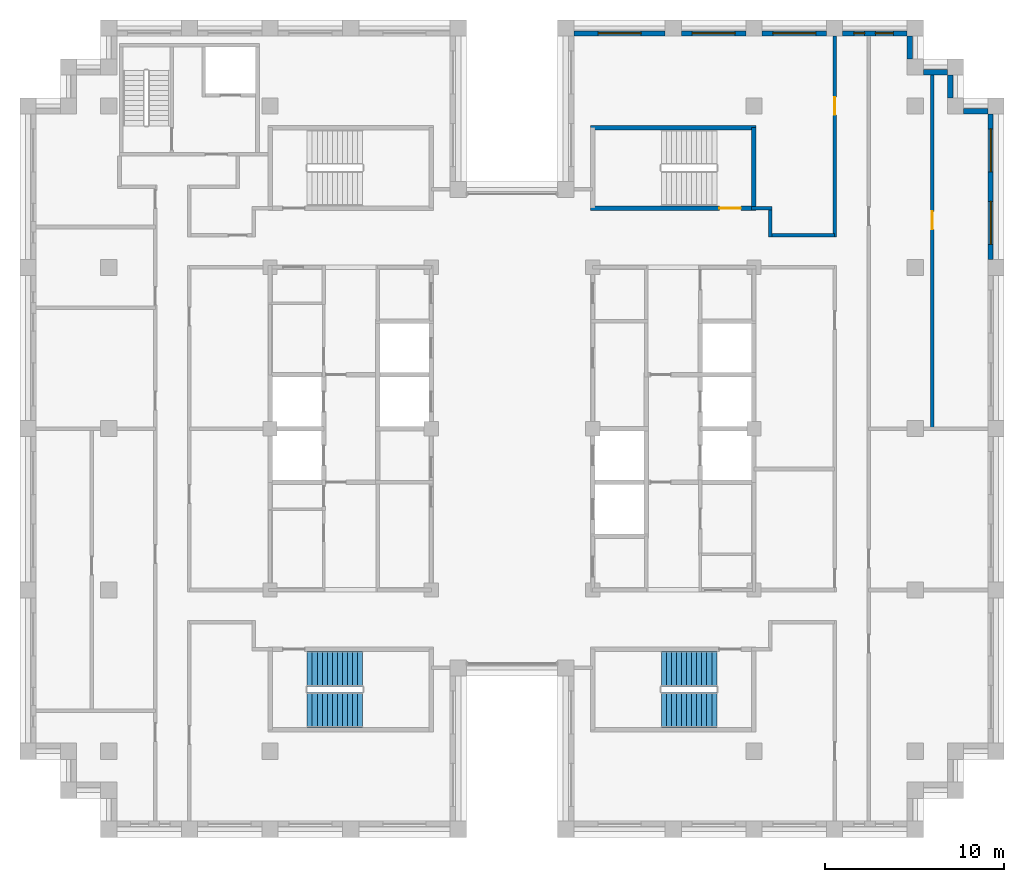
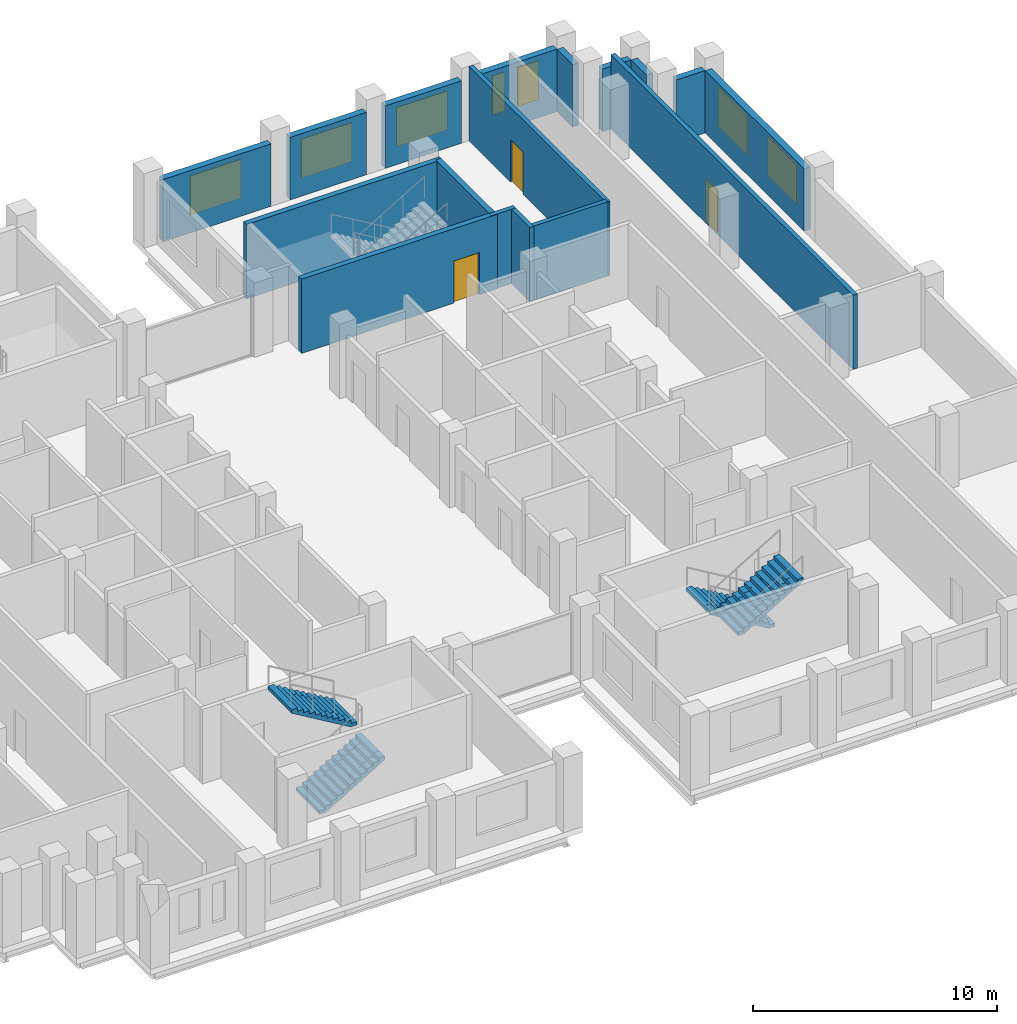
# One storey, part 11 of 13: 17 walls, 7 windows, 4 stair flights, 3 doors, 10 openings, 2 elements without a shape of their own.
"""IFC4 building model written with IfcOpenShell, lengths in metres."""

import ifcopenshell
import ifcopenshell.guid

model = None  # the IFC model being written
_history = None  # IfcOwnerHistory: only IFC2X3 demands one
_inside = {}  # id of a spatial element -> (the spatial element, [elements in it])
_under = {}  # id of a project, library or spatial element -> (it, [spatial elements below it])
_declared = {}  # id of a project -> (the project, [libraries it declares])
_typed = {}  # id of a type object -> (the type object, [elements of that type])
_made_of = {}  # id of a material, layer set ... -> (it, [elements and type objects made of it])


def new_model(schema):
    """Start an empty IFC model of exactly this schema.

    Asked for "IFC4X3", IfcOpenShell would pick the latest addendum, in which some entities
    have other attributes; the version numbers below select the first issue.
    IFC2X3 requires an IfcOwnerHistory on every rooted entity: one is made here for all.
    """
    global model, _history
    if schema == "IFC4X3":
        model = ifcopenshell.file(schema_version=(4, 3, 0, 0))
    else:
        model = ifcopenshell.file(schema=schema)
    _inside.clear()
    _under.clear()
    _declared.clear()
    _typed.clear()
    _made_of.clear()
    _history = None
    if model.schema == "IFC2X3":
        org = make("IfcOrganization", Name="unknown")
        user = make(
            "IfcPersonAndOrganization",
            ThePerson=make("IfcPerson", FamilyName="unknown"),
            TheOrganization=org,
        )
        app = make(
            "IfcApplication",
            ApplicationDeveloper=org,
            Version="unknown",
            ApplicationFullName="unknown",
            ApplicationIdentifier="unknown",
        )
        _history = make(
            "IfcOwnerHistory",
            OwningUser=user,
            OwningApplication=app,
            ChangeAction="ADDED",
            CreationDate=0,
        )
    return model


def make(cls, **values):
    """One entity of the class cls with the attributes given. An attribute that is None is left unset."""
    return model.create_entity(
        cls, **{name: value for name, value in values.items() if value is not None}
    )


def rooted(cls, **values):
    """An entity with a GlobalId (a new one), such as an element, a storey or a relation."""
    return make(cls, GlobalId=ifcopenshell.guid.new(), OwnerHistory=_history, **values)


def si_unit(unit_type, name, prefix=None):
    """IfcSIUnit, for example si_unit("LENGTHUNIT", "METRE", prefix="MILLI")."""
    return make("IfcSIUnit", UnitType=unit_type, Prefix=prefix, Name=name)


def assignment(units):
    """IfcUnitAssignment: the units of a project."""
    return None if units is None else make("IfcUnitAssignment", Units=units)


def point(xyz):
    """IfcCartesianPoint."""
    return None if xyz is None else make("IfcCartesianPoint", Coordinates=xyz)


def direction(xyz):
    """IfcDirection."""
    return None if xyz is None else make("IfcDirection", DirectionRatios=xyz)


def frame(location, z_axis=None, x_axis=None):
    """IfcAxis2Placement3D, a coordinate frame: its origin and axes. An axis left out is left unset."""
    return make(
        "IfcAxis2Placement3D",
        Location=point(location),
        Axis=direction(z_axis),
        RefDirection=direction(x_axis),
    )


def frame_2d(location, x_axis=None):
    """IfcAxis2Placement2D, a coordinate frame in the plane: its origin and x axis."""
    return make(
        "IfcAxis2Placement2D", Location=point(location), RefDirection=direction(x_axis)
    )


def origin():
    """The frame at (0, 0, 0) with its axes left unset."""
    return frame((0.0, 0.0, 0.0))


def place(relative_to, where):
    """IfcLocalPlacement: puts the frame where relative to a parent placement (None: the world)."""
    return make(
        "IfcLocalPlacement", PlacementRelTo=relative_to, RelativePlacement=where
    )


def context(
    kind, dimensions, precision=None, world=None, true_north=None, identifier=None
):
    """IfcGeometricRepresentationContext, for example the 3D "Model" context."""
    return make(
        "IfcGeometricRepresentationContext",
        ContextIdentifier=identifier,
        ContextType=kind,
        CoordinateSpaceDimension=dimensions,
        Precision=precision,
        WorldCoordinateSystem=world,
        TrueNorth=true_north,
    )


def subcontext(parent, identifier, kind, view, scale=None):
    """IfcGeometricRepresentationSubContext, for example "Body" below "Model"."""
    return make(
        "IfcGeometricRepresentationSubContext",
        ContextIdentifier=identifier,
        ContextType=kind,
        ParentContext=parent,
        TargetScale=scale,
        TargetView=view,
    )


def project(units=None, contexts=None):
    """IfcProject with its units and contexts."""
    return rooted(
        "IfcProject",
        Name="project",
        RepresentationContexts=contexts,
        UnitsInContext=assignment(units),
    )


def spatial(cls, under=None, at=None, **own):
    """A site, building, storey or space (cls), placed at a placement, below another one or the project."""
    s = rooted(cls, ObjectPlacement=at, **own)
    if under is not None:
        _under.setdefault(under.id(), (under, []))[1].append(s)
    return s


def polyline(points):
    """IfcPolyline through the points."""
    return make("IfcPolyline", Points=[point(p) for p in points])


def profile(cls, at=None, kind="AREA", **sizes):
    """A parametric profile (cls). Its sizes go by their IFC names, for example OverallWidth=200.0."""
    return make(cls, ProfileType=kind, Position=at, **sizes)


def rectangle(**sizes):
    """IfcRectangleProfileDef."""
    return profile("IfcRectangleProfileDef", **sizes)


def outline(outer, holes=None, kind="AREA"):
    """IfcArbitraryClosedProfileDef: a profile drawn as a closed curve; with holes, ...WithVoids."""
    if holes is None:
        return make("IfcArbitraryClosedProfileDef", ProfileType=kind, OuterCurve=outer)
    return make(
        "IfcArbitraryProfileDefWithVoids",
        ProfileType=kind,
        OuterCurve=outer,
        InnerCurves=holes,
    )


def extrude(swept, where, along, depth):
    """IfcExtrudedAreaSolid: the profile swept, set in the frame where, extruded along a direction by depth."""
    return make(
        "IfcExtrudedAreaSolid",
        SweptArea=swept,
        Position=where,
        ExtrudedDirection=direction(along),
        Depth=depth,
    )


def shape(context_of_items, identifier, shape_type, items):
    """IfcShapeRepresentation: the items that make up one representation, for example the "Body"."""
    return make(
        "IfcShapeRepresentation",
        ContextOfItems=context_of_items,
        RepresentationIdentifier=identifier,
        RepresentationType=shape_type,
        Items=items,
    )


def material(Name=None, Category=None):
    """IfcMaterial."""
    return make("IfcMaterial", Name=Name, Category=Category)


def layer(
    of_material, thickness, ventilated=None, Name=None, Category=None, Priority=None
):
    """IfcMaterialLayer: one layer of a wall or slab, of a material (None: an air gap)."""
    return make(
        "IfcMaterialLayer",
        Material=of_material,
        LayerThickness=thickness,
        IsVentilated=ventilated,
        Name=Name,
        Category=Category,
        Priority=Priority,
    )


def layer_set(layers, Name=None):
    """IfcMaterialLayerSet."""
    return make("IfcMaterialLayerSet", MaterialLayers=layers, LayerSetName=Name)


def made_of(thing, what):
    """Note that an element or type object is made of a material, layer set ...; save() writes the relation."""
    if what is not None:
        _made_of.setdefault(what.id(), (what, []))[1].append(thing)
    return thing


def type_object(cls, material=None, **own):
    """A type object (cls), such as IfcWallType, which elements share."""
    return made_of(rooted(cls, **own), material)


def element(
    cls,
    number,
    at=None,
    inside=None,
    cuts=None,
    type_object=None,
    material=None,
    context=None,
    identifier="Body",
    shape_type=None,
    held_by="IfcProductDefinitionShape",
    body=None,
    shapes=None,
    **own,
):
    """One element of the class cls, such as IfcWall. Its Tag is "e" and its number.

    at: its placement. inside: the storey or other place that contains it. cuts: it is an
    opening in that element (IfcRelVoidsElement). A single representation is given by context,
    identifier, shape_type and body (its items); several are given by shapes. held_by: the class
    of the entity that holds the representations. save() writes the other relations.
    """
    e = rooted(cls, Tag="e%d" % number, ObjectPlacement=at, **own)
    if body is not None:
        shapes = [shape(context, identifier, shape_type, body)]
    if shapes is not None:
        e.Representation = make(held_by, Representations=shapes)
    if inside is not None:
        _inside.setdefault(inside.id(), (inside, []))[1].append(e)
    if cuts is not None:
        rooted(
            "IfcRelVoidsElement", RelatingBuildingElement=cuts, RelatedOpeningElement=e
        )
    if type_object is not None:
        _typed.setdefault(type_object.id(), (type_object, []))[1].append(e)
    return made_of(e, material)


def fill(opening, filler):
    """IfcRelFillsElement: the door or window that sits in an opening."""
    return rooted(
        "IfcRelFillsElement",
        RelatingOpeningElement=opening,
        RelatedBuildingElement=filler,
    )


def aggregate(whole, parts):
    """IfcRelAggregates: a whole, such as a stair, and the parts it consists of."""
    return rooted("IfcRelAggregates", RelatingObject=whole, RelatedObjects=parts)


def save(model, path):
    """Write the relations noted so far, then the file.

    IfcRelAggregates (storeys below a building ...), IfcRelContainedInSpatialStructure (elements
    in a storey), IfcRelDefinesByType, IfcRelAssociatesMaterial and IfcRelDeclares: one each for
    every whole, place, type object, material and project.
    """
    for whole, parts in _under.values():
        aggregate(whole, parts)
    for where, things in _inside.values():
        rooted(
            "IfcRelContainedInSpatialStructure",
            RelatedElements=things,
            RelatingStructure=where,
        )
    for kind, things in _typed.values():
        rooted("IfcRelDefinesByType", RelatedObjects=things, RelatingType=kind)
    for what, things in _made_of.values():
        rooted("IfcRelAssociatesMaterial", RelatedObjects=things, RelatingMaterial=what)
    for by, libraries in _declared.values():
        rooted("IfcRelDeclares", RelatingContext=by, RelatedDefinitions=libraries)
    model.write(path)


model = new_model("IFC4")

# Units and contexts
model_context = context("Model", 3, precision=1e-05, world=origin(), true_north=direction((0.0, 1.0)))
body_context = subcontext(model_context, "Body", "Model", "MODEL_VIEW")
ifc_project = project(units=[si_unit("LENGTHUNIT", "METRE"), si_unit("AREAUNIT", "SQUARE_METRE"), si_unit("VOLUMEUNIT", "CUBIC_METRE"), si_unit("PLANEANGLEUNIT", "RADIAN"), si_unit("MASSUNIT", "GRAM", prefix="KILO")], contexts=[model_context])

# Site, building, storey
site_placement = place(None, origin())
site = spatial("IfcSite", under=ifc_project, at=site_placement, CompositionType="ELEMENT")
building_placement = place(site_placement, origin())
building = spatial("IfcBuilding", under=site, at=building_placement, Name="Corbelhall Arena Tower", CompositionType="ELEMENT")
storey_placement = place(building_placement, frame((0.0, 0.0, 274.0)))
storey = spatial("IfcBuildingStorey", under=building, at=storey_placement, Name="L59", CompositionType="ELEMENT", Elevation=274.0)

# Wall, openings, windows
ifc_material_1 = material(Name="Precast concrete C40/50 with granite facing", Category="masonry")
ifc_layer_1 = layer(ifc_material_1, 0.300048828125)
ifc_layer_set_1 = layer_set([ifc_layer_1], Name="EV-IW1 Infill panel 300")
wall_type_1 = type_object("IfcWallType", Name="EV-IW1 Infill panel 300", PredefinedType="SOLIDWALL", material=ifc_layer_set_1)
wall_1_placement = place(storey_placement, frame((26.699951171875, 9.449951171875, 0.0), z_axis=(0.0, 0.0, 1.0), x_axis=(0.0, 1.0, 0.0)))
wall_1 = element("IfcWall", 1, at=wall_1_placement, inside=storey, type_object=wall_type_1, Name="Infill panel IW1", PredefinedType="SOLIDWALL", context=body_context, shape_type="SweptSolid", body=[
    extrude(rectangle(XDim=8.10009765625, YDim=0.300048828125, at=frame_2d((4.050048828125, 0.0))), origin(), (0.0, 0.0, 1.0), 3.1201171875),
])
opening_1_placement = place(wall_1_placement, frame((0.824951171875, 0.0, 0.800048828125)))
opening_1 = element("IfcOpeningElement", 2, at=opening_1_placement, cuts=wall_1, Name="Opening WN1", PredefinedType="OPENING", context=body_context, shape_type="SweptSolid", body=[
    extrude(rectangle(XDim=2.39990234375, YDim=1.949951171875, at=frame_2d((1.199951171875, 0.97509765625))), frame((0.0, 0.14990234375, 0.0), z_axis=(0.0, -1.0, 0.0), x_axis=(1.0, 0.0, 0.0)), (0.0, 0.0, 1.0), 0.300048828125),
])
opening_2_placement = place(wall_1_placement, frame((4.875, 0.0, 0.800048828125)))
opening_2 = element("IfcOpeningElement", 3, at=opening_2_placement, cuts=wall_1, Name="Opening WN1", PredefinedType="OPENING", context=body_context, shape_type="SweptSolid", body=[
    extrude(rectangle(XDim=2.39990234375, YDim=1.949951171875, at=frame_2d((1.199951171875, 0.97509765625))), frame((0.0, 0.14990234375, 0.0), z_axis=(0.0, -1.0, 0.0), x_axis=(1.0, 0.0, 0.0)), (0.0, 0.0, 1.0), 0.300048828125),
])
ifc_material_2 = material(Name="Aluminium black anodised", Category="aluminium")
window_type_1 = type_object("IfcWindowType", Name="EV-WN1 Office window", PartitioningType="SINGLE_PANEL", PredefinedType="WINDOW", material=ifc_material_2)
window_1_placement = place(opening_1_placement, origin())
window_1 = element("IfcWindow", 4, at=window_1_placement, inside=storey, type_object=window_type_1, Name="Window WN1", OverallHeight=1.949951171875, OverallWidth=2.39990234375, PartitioningType="SINGLE_PANEL", PredefinedType="WINDOW", context=body_context, shape_type="SweptSolid", body=[
    extrude(rectangle(XDim=2.39990234375, YDim=1.949951171875, at=frame_2d((1.199951171875, 0.97509765625))), frame((0.0, 0.030029296875, 0.0), z_axis=(0.0, -1.0, 0.0), x_axis=(1.0, 0.0, 0.0)), (0.0, 0.0, 1.0), 0.06005859375),
])
fill(opening_1, window_1)
window_2_placement = place(opening_2_placement, origin())
window_2 = element("IfcWindow", 5, at=window_2_placement, inside=storey, type_object=window_type_1, Name="Window WN1", OverallHeight=1.949951171875, OverallWidth=2.39990234375, PartitioningType="SINGLE_PANEL", PredefinedType="WINDOW", context=body_context, shape_type="SweptSolid", body=[
    extrude(rectangle(XDim=2.39990234375, YDim=1.949951171875, at=frame_2d((1.199951171875, 0.97509765625))), frame((0.0, 0.030029296875, 0.0), z_axis=(0.0, -1.0, 0.0), x_axis=(1.0, 0.0, 0.0)), (0.0, 0.0, 1.0), 0.06005859375),
])
fill(opening_2, window_2)

# Walls
wall_2_placement = place(storey_placement, frame((26.550048828125, 17.699951171875, 0.0), z_axis=(0.0, 0.0, 1.0), x_axis=(-1.0, 0.0, 0.0)))
element("IfcWall", 6, at=wall_2_placement, inside=storey, type_object=wall_type_1, Name="Infill panel IW1", PredefinedType="SOLIDWALL", context=body_context, shape_type="SweptSolid", body=[
    extrude(rectangle(XDim=1.35009765625, YDim=0.300048828125, at=frame_2d((0.675048828125, 0.0))), origin(), (0.0, 0.0, 1.0), 3.1201171875),
])
wall_3_placement = place(storey_placement, frame((24.449951171875, 18.449951171875, 0.0), z_axis=(0.0, 0.0, 1.0), x_axis=(0.0, 1.0, 0.0)))
element("IfcWall", 7, at=wall_3_placement, inside=storey, type_object=wall_type_1, Name="Infill panel IW1", PredefinedType="SOLIDWALL", context=body_context, shape_type="SweptSolid", body=[
    extrude(rectangle(XDim=1.275146484375, YDim=0.300048828125, at=frame_2d((0.6376953125, 0.0))), origin(), (0.0, 0.0, 1.0), 3.1201171875),
])
wall_4_placement = place(storey_placement, frame((24.300048828125, 19.875, 0.0), z_axis=(0.0, 0.0, 1.0), x_axis=(-1.0, 0.0, 0.0)))
element("IfcWall", 8, at=wall_4_placement, inside=storey, type_object=wall_type_1, Name="Infill panel IW1", PredefinedType="SOLIDWALL", context=body_context, shape_type="SweptSolid", body=[
    extrude(rectangle(XDim=1.35009765625, YDim=0.300048828125, at=frame_2d((0.675048828125, 0.0))), origin(), (0.0, 0.0, 1.0), 3.1201171875),
])
wall_5_placement = place(storey_placement, frame((22.199951171875, 20.625, 0.0), z_axis=(0.0, 0.0, 1.0), x_axis=(0.0, 1.0, 0.0)))
element("IfcWall", 9, at=wall_5_placement, inside=storey, type_object=wall_type_1, Name="Infill panel IW1", PredefinedType="SOLIDWALL", context=body_context, shape_type="SweptSolid", body=[
    extrude(rectangle(XDim=1.27490234375, YDim=0.300048828125, at=frame_2d((0.637451171875, 0.0))), origin(), (0.0, 0.0, 1.0), 3.1201171875),
])

# Wall, openings, windows
wall_6_placement = place(storey_placement, frame((22.050048828125, 22.050048828125, 0.0), z_axis=(0.0, 0.0, 1.0), x_axis=(-1.0, 0.0, 0.0)))
wall_6 = element("IfcWall", 10, at=wall_6_placement, inside=storey, type_object=wall_type_1, Name="Infill panel IW1", PredefinedType="SOLIDWALL", context=body_context, shape_type="SweptSolid", body=[
    extrude(rectangle(XDim=3.60009765625, YDim=0.300048828125, at=frame_2d((1.800048828125, 0.0))), origin(), (0.0, 0.0, 1.0), 3.1201171875),
])
opening_3_placement = place(wall_6_placement, frame((0.77490234375, 0.0, 0.800048828125)))
opening_3 = element("IfcOpeningElement", 11, at=opening_3_placement, cuts=wall_6, Name="Opening WN6", PredefinedType="OPENING", context=body_context, shape_type="SweptSolid", body=[
    extrude(rectangle(XDim=1.0, YDim=1.949951171875, at=frame_2d((0.5, 0.97509765625))), frame((0.0, 0.14990234375, 0.0), z_axis=(0.0, -1.0, 0.0), x_axis=(1.0, 0.0, 0.0)), (0.0, 0.0, 1.0), 0.300048828125),
])
opening_4_placement = place(wall_6_placement, frame((2.375, 0.0, 0.800048828125)))
opening_4 = element("IfcOpeningElement", 12, at=opening_4_placement, cuts=wall_6, Name="Opening WN5", PredefinedType="OPENING", context=body_context, shape_type="SweptSolid", body=[
    extrude(rectangle(XDim=0.60009765625, YDim=1.949951171875, at=frame_2d((0.300048828125, 0.97509765625))), frame((0.0, 0.14990234375, 0.0), z_axis=(0.0, -1.0, 0.0), x_axis=(1.0, 0.0, 0.0)), (0.0, 0.0, 1.0), 0.300048828125),
])
window_type_2 = type_object("IfcWindowType", Name="EV-WN5 Office window 600", PartitioningType="SINGLE_PANEL", PredefinedType="WINDOW", material=ifc_material_2)
window_3_placement = place(opening_4_placement, origin())
window_3 = element("IfcWindow", 13, at=window_3_placement, inside=storey, type_object=window_type_2, Name="Window WN5", OverallHeight=1.949951171875, OverallWidth=0.60009765625, PartitioningType="SINGLE_PANEL", PredefinedType="WINDOW", context=body_context, shape_type="SweptSolid", body=[
    extrude(rectangle(XDim=0.60009765625, YDim=1.949951171875, at=frame_2d((0.300048828125, 0.97509765625))), frame((0.0, 0.030029296875, 0.0), z_axis=(0.0, -1.0, 0.0), x_axis=(1.0, 0.0, 0.0)), (0.0, 0.0, 1.0), 0.06005859375),
])
fill(opening_4, window_3)
window_type_3 = type_object("IfcWindowType", Name="EV-WN6 Office window 1000", PartitioningType="SINGLE_PANEL", PredefinedType="WINDOW", material=ifc_material_2)
window_4_placement = place(opening_3_placement, origin())
window_4 = element("IfcWindow", 14, at=window_4_placement, inside=storey, type_object=window_type_3, Name="Window WN6", OverallHeight=1.949951171875, OverallWidth=1.0, PartitioningType="SINGLE_PANEL", PredefinedType="WINDOW", context=body_context, shape_type="SweptSolid", body=[
    extrude(rectangle(XDim=1.0, YDim=1.949951171875, at=frame_2d((0.5, 0.97509765625))), frame((0.0, 0.030029296875, 0.0), z_axis=(0.0, -1.0, 0.0), x_axis=(1.0, 0.0, 0.0)), (0.0, 0.0, 1.0), 0.06005859375),
])
fill(opening_3, window_4)

# Wall, opening, window
wall_7_placement = place(storey_placement, frame((17.550048828125, 22.050048828125, 0.0), z_axis=(0.0, 0.0, 1.0), x_axis=(-1.0, 0.0, 0.0)))
wall_7 = element("IfcWall", 15, at=wall_7_placement, inside=storey, type_object=wall_type_1, Name="Infill panel IW1", PredefinedType="SOLIDWALL", context=body_context, shape_type="SweptSolid", body=[
    extrude(rectangle(XDim=3.60009765625, YDim=0.300048828125, at=frame_2d((1.800048828125, 0.0))), origin(), (0.0, 0.0, 1.0), 3.1201171875),
])
opening_5_placement = place(wall_7_placement, frame((0.60009765625, 0.0, 0.800048828125)))
opening_5 = element("IfcOpeningElement", 16, at=opening_5_placement, cuts=wall_7, Name="Opening WN1", PredefinedType="OPENING", context=body_context, shape_type="SweptSolid", body=[
    extrude(rectangle(XDim=2.39990234375, YDim=1.949951171875, at=frame_2d((1.199951171875, 0.97509765625))), frame((0.0, 0.14990234375, 0.0), z_axis=(0.0, -1.0, 0.0), x_axis=(1.0, 0.0, 0.0)), (0.0, 0.0, 1.0), 0.300048828125),
])
window_5_placement = place(opening_5_placement, origin())
window_5 = element("IfcWindow", 17, at=window_5_placement, inside=storey, type_object=window_type_1, Name="Window WN1", OverallHeight=1.949951171875, OverallWidth=2.39990234375, PartitioningType="SINGLE_PANEL", PredefinedType="WINDOW", context=body_context, shape_type="SweptSolid", body=[
    extrude(rectangle(XDim=2.39990234375, YDim=1.949951171875, at=frame_2d((1.199951171875, 0.97509765625))), frame((0.0, 0.030029296875, 0.0), z_axis=(0.0, -1.0, 0.0), x_axis=(1.0, 0.0, 0.0)), (0.0, 0.0, 1.0), 0.06005859375),
])
fill(opening_5, window_5)

wall_8_placement = place(storey_placement, frame((13.050048828125, 22.050048828125, 0.0), z_axis=(0.0, 0.0, 1.0), x_axis=(-1.0, 0.0, 0.0)))
wall_8 = element("IfcWall", 18, at=wall_8_placement, inside=storey, type_object=wall_type_1, Name="Infill panel IW1", PredefinedType="SOLIDWALL", context=body_context, shape_type="SweptSolid", body=[
    extrude(rectangle(XDim=3.60009765625, YDim=0.300048828125, at=frame_2d((1.800048828125, 0.0))), origin(), (0.0, 0.0, 1.0), 3.1201171875),
])
opening_6_placement = place(wall_8_placement, frame((0.60009765625, 0.0, 0.800048828125)))
opening_6 = element("IfcOpeningElement", 19, at=opening_6_placement, cuts=wall_8, Name="Opening WN1", PredefinedType="OPENING", context=body_context, shape_type="SweptSolid", body=[
    extrude(rectangle(XDim=2.39990234375, YDim=1.949951171875, at=frame_2d((1.199951171875, 0.97509765625))), frame((0.0, 0.14990234375, 0.0), z_axis=(0.0, -1.0, 0.0), x_axis=(1.0, 0.0, 0.0)), (0.0, 0.0, 1.0), 0.300048828125),
])
window_6_placement = place(opening_6_placement, origin())
window_6 = element("IfcWindow", 20, at=window_6_placement, inside=storey, type_object=window_type_1, Name="Window WN1", OverallHeight=1.949951171875, OverallWidth=2.39990234375, PartitioningType="SINGLE_PANEL", PredefinedType="WINDOW", context=body_context, shape_type="SweptSolid", body=[
    extrude(rectangle(XDim=2.39990234375, YDim=1.949951171875, at=frame_2d((1.199951171875, 0.97509765625))), frame((0.0, 0.030029296875, 0.0), z_axis=(0.0, -1.0, 0.0), x_axis=(1.0, 0.0, 0.0)), (0.0, 0.0, 1.0), 0.06005859375),
])
fill(opening_6, window_6)

wall_9_placement = place(storey_placement, frame((8.550048828125, 22.050048828125, 0.0), z_axis=(0.0, 0.0, 1.0), x_axis=(-1.0, 0.0, 0.0)))
wall_9 = element("IfcWall", 21, at=wall_9_placement, inside=storey, type_object=wall_type_1, Name="Infill panel IW1", PredefinedType="SOLIDWALL", context=body_context, shape_type="SweptSolid", body=[
    extrude(rectangle(XDim=5.10009765625, YDim=0.300048828125, at=frame_2d((2.550048828125, 0.0))), origin(), (0.0, 0.0, 1.0), 3.1201171875),
])
opening_7_placement = place(wall_9_placement, frame((1.35009765625, 0.0, 0.800048828125)))
opening_7 = element("IfcOpeningElement", 22, at=opening_7_placement, cuts=wall_9, Name="Opening WN1", PredefinedType="OPENING", context=body_context, shape_type="SweptSolid", body=[
    extrude(rectangle(XDim=2.39990234375, YDim=1.949951171875, at=frame_2d((1.199951171875, 0.97509765625))), frame((0.0, 0.14990234375, 0.0), z_axis=(0.0, -1.0, 0.0), x_axis=(1.0, 0.0, 0.0)), (0.0, 0.0, 1.0), 0.300048828125),
])
window_7_placement = place(opening_7_placement, origin())
window_7 = element("IfcWindow", 23, at=window_7_placement, inside=storey, type_object=window_type_1, Name="Window WN1", OverallHeight=1.949951171875, OverallWidth=2.39990234375, PartitioningType="SINGLE_PANEL", PredefinedType="WINDOW", context=body_context, shape_type="SweptSolid", body=[
    extrude(rectangle(XDim=2.39990234375, YDim=1.949951171875, at=frame_2d((1.199951171875, 0.97509765625))), frame((0.0, 0.030029296875, 0.0), z_axis=(0.0, -1.0, 0.0), x_axis=(1.0, 0.0, 0.0)), (0.0, 0.0, 1.0), 0.06005859375),
])
fill(opening_7, window_7)

# Walls
ifc_material_3 = material(Name="Gypsum board on steel stud, acoustic", Category="steel")
ifc_layer_2 = layer(ifc_material_3, 0.199951171875)
ifc_layer_set_2 = layer_set([ifc_layer_2], Name="IN-W-DM200")
wall_type_2 = type_object("IfcWallType", Name="IN-W-DM200", PredefinedType="PARTITIONING", material=ifc_layer_set_2)
wall_10_placement = place(storey_placement, frame((13.375, 12.300048828125, 0.0), z_axis=(0.0, 0.0, 1.0), x_axis=(1.0, 0.0, 0.0)))
element("IfcWall", 24, at=wall_10_placement, inside=storey, type_object=wall_type_2, Name="Partition 027", PredefinedType="PARTITIONING", context=body_context, shape_type="SweptSolid", body=[
    extrude(rectangle(XDim=1.125, YDim=0.199951171875, at=frame_2d((0.5625, 0.0))), origin(), (0.0, 0.0, 1.0), 3.719970703125),
])
wall_11_placement = place(storey_placement, frame((14.39990234375, 10.800048828125, 0.0), z_axis=(0.0, 0.0, 1.0), x_axis=(1.0, 0.0, 0.0)))
element("IfcWall", 25, at=wall_11_placement, inside=storey, type_object=wall_type_2, Name="Partition 033", PredefinedType="PARTITIONING", context=body_context, shape_type="SweptSolid", body=[
    extrude(rectangle(XDim=3.60009765625, YDim=0.199951171875, at=frame_2d((1.800048828125, 0.0))), origin(), (0.0, 0.0, 1.0), 3.719970703125),
])
wall_12_placement = place(storey_placement, frame((14.39990234375, 12.300048828125, 0.0), z_axis=(0.0, 0.0, 1.0), x_axis=(0.0, -1.0, 0.0)))
element("IfcWall", 26, at=wall_12_placement, inside=storey, type_object=wall_type_2, Name="Partition 034", PredefinedType="PARTITIONING", context=body_context, shape_type="SweptSolid", body=[
    extrude(rectangle(XDim=1.60009765625, YDim=0.199951171875, at=frame_2d((0.800048828125, 0.0))), origin(), (0.0, 0.0, 1.0), 3.719970703125),
])

# Wall, opening, door
wall_13_placement = place(storey_placement, frame((18.0, 10.699951171875, 0.0), z_axis=(0.0, 0.0, 1.0), x_axis=(0.0, 1.0, 0.0)))
wall_13 = element("IfcWall", 27, at=wall_13_placement, inside=storey, type_object=wall_type_2, Name="Partition 038", PredefinedType="PARTITIONING", context=body_context, shape_type="SweptSolid", body=[
    extrude(rectangle(XDim=11.199951171875, YDim=0.199951171875, at=frame_2d((5.60009765625, 0.0))), origin(), (0.0, 0.0, 1.0), 3.719970703125),
])
opening_8_placement = place(wall_13_placement, frame((6.800048828125, 0.0, 0.0)))
opening_8 = element("IfcOpeningElement", 28, at=opening_8_placement, cuts=wall_13, Name="Opening 18027", PredefinedType="OPENING", context=body_context, shape_type="SweptSolid", body=[
    extrude(rectangle(XDim=1.0, YDim=2.10009765625, at=frame_2d((0.5, 1.050048828125))), frame((0.0, 0.10009765625, 0.0), z_axis=(0.0, -1.0, 0.0), x_axis=(1.0, 0.0, 0.0)), (0.0, 0.0, 1.0), 0.199951171875),
])
ifc_material_4 = material(Name="Steel door set", Category="steel")
door_type_1 = type_object("IfcDoorType", Name="IN-D-SW100", OperationType="NOTDEFINED", PredefinedType="DOOR", material=ifc_material_4)
door_1_placement = place(opening_8_placement, origin())
door_1 = element("IfcDoor", 29, at=door_1_placement, inside=storey, type_object=door_type_1, Name="Door 027", OperationType="SINGLE_SWING_RIGHT", OverallHeight=2.10009765625, OverallWidth=1.0, PredefinedType="DOOR", context=body_context, shape_type="SweptSolid", body=[
    extrude(rectangle(XDim=1.0, YDim=2.10009765625, at=frame_2d((0.5, 1.050048828125))), frame((0.0, 0.02490234375, 0.0), z_axis=(0.0, -1.0, 0.0), x_axis=(1.0, 0.0, 0.0)), (0.0, 0.0, 1.0), 0.050048828125),
])
fill(opening_8, door_1)

wall_14_placement = place(storey_placement, frame((23.449951171875, 19.72509765625, 0.0), z_axis=(0.0, 0.0, 1.0), x_axis=(0.0, -1.0, 0.0)))
wall_14 = element("IfcWall", 30, at=wall_14_placement, inside=storey, type_object=wall_type_2, Name="Partition 042", PredefinedType="PARTITIONING", context=body_context, shape_type="SweptSolid", body=[
    extrude(rectangle(XDim=19.8251953125, YDim=0.199951171875, at=frame_2d((9.91259765625, 0.0))), origin(), (0.0, 0.0, 1.0), 3.719970703125),
])
opening_9_placement = place(wall_14_placement, frame((7.60009765625, 0.0, 0.0)))
opening_9 = element("IfcOpeningElement", 31, at=opening_9_placement, cuts=wall_14, Name="Opening 18037", PredefinedType="OPENING", context=body_context, shape_type="SweptSolid", body=[
    extrude(rectangle(XDim=1.0, YDim=2.10009765625, at=frame_2d((0.5, 1.050048828125))), frame((0.0, 0.10009765625, 0.0), z_axis=(0.0, -1.0, 0.0), x_axis=(1.0, 0.0, 0.0)), (0.0, 0.0, 1.0), 0.199951171875),
])
door_2_placement = place(opening_9_placement, origin())
door_2 = element("IfcDoor", 32, at=door_2_placement, inside=storey, type_object=door_type_1, Name="Door 037", OperationType="SINGLE_SWING_RIGHT", OverallHeight=2.10009765625, OverallWidth=1.0, PredefinedType="DOOR", context=body_context, shape_type="SweptSolid", body=[
    extrude(rectangle(XDim=1.0, YDim=2.10009765625, at=frame_2d((0.5, 1.050048828125))), frame((0.0, 0.02490234375, 0.0), z_axis=(0.0, -1.0, 0.0), x_axis=(1.0, 0.0, 0.0)), (0.0, 0.0, 1.0), 0.050048828125),
])
fill(opening_9, door_2)

ifc_material_5 = material(Name="Concrete C40/50", Category="concrete")
ifc_layer_3 = layer(ifc_material_5, 0.25)
ifc_layer_set_3 = layer_set([ifc_layer_3], Name="IN-W-ST250")
wall_type_3 = type_object("IfcWallType", Name="IN-W-ST250", PredefinedType="SOLIDWALL", material=ifc_layer_set_3)
wall_15_placement = place(storey_placement, frame((4.375, 12.300048828125, 0.0), z_axis=(0.0, 0.0, 1.0), x_axis=(1.0, 0.0, 0.0)))
wall_15 = element("IfcWall", 33, at=wall_15_placement, inside=storey, type_object=wall_type_3, Name="Shaft wall 094", PredefinedType="SOLIDWALL", context=body_context, shape_type="SweptSolid", body=[
    extrude(rectangle(XDim=9.25, YDim=0.25, at=frame_2d((4.625, 0.0))), origin(), (0.0, 0.0, 1.0), 3.719970703125),
])
opening_10_placement = place(wall_15_placement, frame((7.199951171875, 0.0, 0.0)))
opening_10 = element("IfcOpeningElement", 34, at=opening_10_placement, cuts=wall_15, Name="Opening 18020", PredefinedType="OPENING", context=body_context, shape_type="SweptSolid", body=[
    extrude(rectangle(XDim=1.199951171875, YDim=2.10009765625, at=frame_2d((0.60009765625, 1.050048828125))), frame((0.0, 0.125, 0.0), z_axis=(0.0, -1.0, 0.0), x_axis=(1.0, 0.0, 0.0)), (0.0, 0.0, 1.0), 0.25),
])
door_type_2 = type_object("IfcDoorType", Name="IN-D-ST120", OperationType="NOTDEFINED", PredefinedType="DOOR", material=ifc_material_4)
door_3_placement = place(opening_10_placement, origin())
door_3 = element("IfcDoor", 35, at=door_3_placement, inside=storey, type_object=door_type_2, Name="Door 020", OperationType="SINGLE_SWING_LEFT", OverallHeight=2.10009765625, OverallWidth=1.199951171875, PredefinedType="DOOR", context=body_context, shape_type="SweptSolid", body=[
    extrude(rectangle(XDim=1.199951171875, YDim=2.10009765625, at=frame_2d((0.60009765625, 1.050048828125))), frame((0.0, 0.02490234375, 0.0), z_axis=(0.0, -1.0, 0.0), x_axis=(1.0, 0.0, 0.0)), (0.0, 0.0, 1.0), 0.050048828125),
])
fill(opening_10, door_3)

# Walls
wall_16_placement = place(storey_placement, frame((4.375, 16.800048828125, 0.0), z_axis=(0.0, 0.0, 1.0), x_axis=(1.0, 0.0, 0.0)))
element("IfcWall", 36, at=wall_16_placement, inside=storey, type_object=wall_type_3, Name="Shaft wall 095", PredefinedType="SOLIDWALL", context=body_context, shape_type="SweptSolid", body=[
    extrude(rectangle(XDim=9.25, YDim=0.25, at=frame_2d((4.625, 0.0))), origin(), (0.0, 0.0, 1.0), 3.719970703125),
])
wall_17_placement = place(storey_placement, frame((13.5, 16.800048828125, 0.0), z_axis=(0.0, 0.0, 1.0), x_axis=(0.0, -1.0, 0.0)))
element("IfcWall", 37, at=wall_17_placement, inside=storey, type_object=wall_type_3, Name="Shaft wall 100", PredefinedType="SOLIDWALL", context=body_context, shape_type="SweptSolid", body=[
    extrude(rectangle(XDim=4.5, YDim=0.25, at=frame_2d((2.25, 0.0))), origin(), (0.0, 0.0, 1.0), 3.719970703125),
])

# Stair, stair flights
stair_type = type_object("IfcStairType", Name="IN-ST-TOWER", PredefinedType="HALF_TURN_STAIR", material=ifc_material_5)
stair_1_placement = place(storey_placement, origin())
stair_1 = element("IfcStair", 38, at=stair_1_placement, inside=storey, type_object=stair_type, Name="L59 Exit stair ST2", PredefinedType="HALF_TURN_STAIR")
stair_flight_type = type_object("IfcStairFlightType", Name="IN-SFL-RC", PredefinedType="STRAIGHT", material=ifc_material_5)
stair_flight_1_placement = place(storey_placement, frame((-11.425048828125, -15.699951171875, 0.0), z_axis=(0.0, 0.0, 1.0), x_axis=(1.0, 0.0, 0.0)))
stair_flight_1 = element("IfcStairFlight", 39, at=stair_flight_1_placement, type_object=stair_flight_type, Name="ST2 flight 1", NumberOfRisers=12, NumberOfTreads=11, PredefinedType="STRAIGHT", RiserHeight=0.166666667, TreadLength=0.28, context=body_context, shape_type="SweptSolid", body=[
    extrude(outline(polyline([(0.0, 0.0), (0.0, 0.166748046875), (0.280029296875, 0.166748046875), (0.280029296875, 0.333251953125), (0.56005859375, 0.333251953125), (0.56005859375, 0.5), (0.840087890625, 0.5), (0.840087890625, 0.666748046875), (1.1201171875, 0.666748046875), (1.1201171875, 0.833251953125), (1.39990234375, 0.833251953125), (1.39990234375, 1.0), (1.679931640625, 1.0), (1.679931640625, 1.166748046875), (1.9599609375, 1.166748046875), (1.9599609375, 1.333251953125), (2.239990234375, 1.333251953125), (2.239990234375, 1.5), (2.52001953125, 1.5), (2.52001953125, 1.666748046875), (2.800048828125, 1.666748046875), (2.800048828125, 1.833251953125), (3.080078125, 1.833251953125), (3.080078125, 2.0), (3.080078125, 1.658935546875), (0.29296875, 0.0), (0.0, 0.0)])), frame((0.0, 0.97509765625, 0.0), z_axis=(0.0, -1.0, 0.0), x_axis=(1.0, 0.0, 0.0)), (0.0, 0.0, 1.0), 0.449951171875),
    extrude(outline(polyline([(0.0, 0.0), (0.0, 0.166748046875), (0.280029296875, 0.166748046875), (0.280029296875, 0.333251953125), (0.56005859375, 0.333251953125), (0.56005859375, 0.5), (0.840087890625, 0.5), (0.840087890625, 0.666748046875), (1.1201171875, 0.666748046875), (1.1201171875, 0.833251953125), (1.39990234375, 0.833251953125), (1.39990234375, 1.0), (1.679931640625, 1.0), (1.679931640625, 1.166748046875), (1.9599609375, 1.166748046875), (1.9599609375, 1.333251953125), (2.239990234375, 1.333251953125), (2.239990234375, 1.5), (2.52001953125, 1.5), (2.52001953125, 1.666748046875), (2.800048828125, 1.666748046875), (2.800048828125, 1.833251953125), (3.080078125, 1.833251953125), (3.080078125, 2.0), (3.080078125, 1.658935546875), (0.29296875, 0.0), (0.0, 0.0)])), frame((0.0, 0.52099609375, 0.0), z_axis=(0.0, -1.0, 0.0), x_axis=(1.0, 0.0, 0.0)), (0.0, 0.0, 1.0), 1.0419921875),
    extrude(outline(polyline([(0.0, 0.0), (0.0, 0.166748046875), (0.280029296875, 0.166748046875), (0.280029296875, 0.333251953125), (0.56005859375, 0.333251953125), (0.56005859375, 0.5), (0.840087890625, 0.5), (0.840087890625, 0.666748046875), (1.1201171875, 0.666748046875), (1.1201171875, 0.833251953125), (1.39990234375, 0.833251953125), (1.39990234375, 1.0), (1.679931640625, 1.0), (1.679931640625, 1.166748046875), (1.9599609375, 1.166748046875), (1.9599609375, 1.333251953125), (2.239990234375, 1.333251953125), (2.239990234375, 1.5), (2.52001953125, 1.5), (2.52001953125, 1.666748046875), (2.800048828125, 1.666748046875), (2.800048828125, 1.833251953125), (3.080078125, 1.833251953125), (3.080078125, 2.0), (3.080078125, 1.658935546875), (0.29296875, 0.0), (0.0, 0.0)])), frame((0.0, -0.52490234375, 0.0), z_axis=(0.0, -1.0, 0.0), x_axis=(1.0, 0.0, 0.0)), (0.0, 0.0, 1.0), 0.449951171875),
])
stair_flight_2_placement = place(storey_placement, frame((-8.344970703125, -13.39990234375, 2.0), z_axis=(0.0, 0.0, 1.0), x_axis=(-1.0, 0.0, 0.0)))
stair_flight_2 = element("IfcStairFlight", 40, at=stair_flight_2_placement, type_object=stair_flight_type, Name="ST2 flight 2", NumberOfRisers=12, NumberOfTreads=11, PredefinedType="STRAIGHT", RiserHeight=0.166666667, TreadLength=0.28, context=body_context, shape_type="SweptSolid", body=[
    extrude(outline(polyline([(0.0, 0.0), (0.0, 0.166748046875), (0.280029296875, 0.166748046875), (0.280029296875, 0.333251953125), (0.56005859375, 0.333251953125), (0.56005859375, 0.5), (0.840087890625, 0.5), (0.840087890625, 0.666748046875), (1.1201171875, 0.666748046875), (1.1201171875, 0.833251953125), (1.39990234375, 0.833251953125), (1.39990234375, 1.0), (1.679931640625, 1.0), (1.679931640625, 1.166748046875), (1.9599609375, 1.166748046875), (1.9599609375, 1.333251953125), (2.239990234375, 1.333251953125), (2.239990234375, 1.5), (2.52001953125, 1.5), (2.52001953125, 1.666748046875), (2.800048828125, 1.666748046875), (2.800048828125, 1.833251953125), (3.080078125, 1.833251953125), (3.080078125, 2.0), (3.080078125, 1.658935546875), (0.29296875, 0.0), (0.0, 0.0)])), frame((0.0, 0.97509765625, 0.0), z_axis=(0.0, -1.0, 0.0), x_axis=(1.0, 0.0, 0.0)), (0.0, 0.0, 1.0), 0.449951171875),
    extrude(outline(polyline([(0.0, 0.0), (0.0, 0.166748046875), (0.280029296875, 0.166748046875), (0.280029296875, 0.333251953125), (0.56005859375, 0.333251953125), (0.56005859375, 0.5), (0.840087890625, 0.5), (0.840087890625, 0.666748046875), (1.1201171875, 0.666748046875), (1.1201171875, 0.833251953125), (1.39990234375, 0.833251953125), (1.39990234375, 1.0), (1.679931640625, 1.0), (1.679931640625, 1.166748046875), (1.9599609375, 1.166748046875), (1.9599609375, 1.333251953125), (2.239990234375, 1.333251953125), (2.239990234375, 1.5), (2.52001953125, 1.5), (2.52001953125, 1.666748046875), (2.800048828125, 1.666748046875), (2.800048828125, 1.833251953125), (3.080078125, 1.833251953125), (3.080078125, 2.0), (3.080078125, 1.658935546875), (0.29296875, 0.0), (0.0, 0.0)])), frame((0.0, 0.52099609375, 0.0), z_axis=(0.0, -1.0, 0.0), x_axis=(1.0, 0.0, 0.0)), (0.0, 0.0, 1.0), 1.0419921875),
    extrude(outline(polyline([(0.0, 0.0), (0.0, 0.166748046875), (0.280029296875, 0.166748046875), (0.280029296875, 0.333251953125), (0.56005859375, 0.333251953125), (0.56005859375, 0.5), (0.840087890625, 0.5), (0.840087890625, 0.666748046875), (1.1201171875, 0.666748046875), (1.1201171875, 0.833251953125), (1.39990234375, 0.833251953125), (1.39990234375, 1.0), (1.679931640625, 1.0), (1.679931640625, 1.166748046875), (1.9599609375, 1.166748046875), (1.9599609375, 1.333251953125), (2.239990234375, 1.333251953125), (2.239990234375, 1.5), (2.52001953125, 1.5), (2.52001953125, 1.666748046875), (2.800048828125, 1.666748046875), (2.800048828125, 1.833251953125), (3.080078125, 1.833251953125), (3.080078125, 2.0), (3.080078125, 1.658935546875), (0.29296875, 0.0), (0.0, 0.0)])), frame((0.0, -0.52490234375, 0.0), z_axis=(0.0, -1.0, 0.0), x_axis=(1.0, 0.0, 0.0)), (0.0, 0.0, 1.0), 0.449951171875),
])
aggregate(stair_1, [stair_flight_1, stair_flight_2])

stair_2_placement = place(storey_placement, origin())
stair_2 = element("IfcStair", 41, at=stair_2_placement, inside=storey, type_object=stair_type, Name="L59 Exit stair ST4", PredefinedType="HALF_TURN_STAIR")
stair_flight_3_placement = place(storey_placement, frame((11.425048828125, -13.39990234375, 0.0), z_axis=(0.0, 0.0, 1.0), x_axis=(-1.0, 0.0, 0.0)))
stair_flight_3 = element("IfcStairFlight", 42, at=stair_flight_3_placement, type_object=stair_flight_type, Name="ST4 flight 1", NumberOfRisers=12, NumberOfTreads=11, PredefinedType="STRAIGHT", RiserHeight=0.166666667, TreadLength=0.28, context=body_context, shape_type="SweptSolid", body=[
    extrude(outline(polyline([(0.0, 0.0), (0.0, 0.166748046875), (0.280029296875, 0.166748046875), (0.280029296875, 0.333251953125), (0.56005859375, 0.333251953125), (0.56005859375, 0.5), (0.840087890625, 0.5), (0.840087890625, 0.666748046875), (1.1201171875, 0.666748046875), (1.1201171875, 0.833251953125), (1.39990234375, 0.833251953125), (1.39990234375, 1.0), (1.679931640625, 1.0), (1.679931640625, 1.166748046875), (1.9599609375, 1.166748046875), (1.9599609375, 1.333251953125), (2.239990234375, 1.333251953125), (2.239990234375, 1.5), (2.52001953125, 1.5), (2.52001953125, 1.666748046875), (2.800048828125, 1.666748046875), (2.800048828125, 1.833251953125), (3.080078125, 1.833251953125), (3.080078125, 2.0), (3.080078125, 1.658935546875), (0.29296875, 0.0), (0.0, 0.0)])), frame((0.0, 0.97509765625, 0.0), z_axis=(0.0, -1.0, 0.0), x_axis=(1.0, 0.0, 0.0)), (0.0, 0.0, 1.0), 0.449951171875),
    extrude(outline(polyline([(0.0, 0.0), (0.0, 0.166748046875), (0.280029296875, 0.166748046875), (0.280029296875, 0.333251953125), (0.56005859375, 0.333251953125), (0.56005859375, 0.5), (0.840087890625, 0.5), (0.840087890625, 0.666748046875), (1.1201171875, 0.666748046875), (1.1201171875, 0.833251953125), (1.39990234375, 0.833251953125), (1.39990234375, 1.0), (1.679931640625, 1.0), (1.679931640625, 1.166748046875), (1.9599609375, 1.166748046875), (1.9599609375, 1.333251953125), (2.239990234375, 1.333251953125), (2.239990234375, 1.5), (2.52001953125, 1.5), (2.52001953125, 1.666748046875), (2.800048828125, 1.666748046875), (2.800048828125, 1.833251953125), (3.080078125, 1.833251953125), (3.080078125, 2.0), (3.080078125, 1.658935546875), (0.29296875, 0.0), (0.0, 0.0)])), frame((0.0, 0.52099609375, 0.0), z_axis=(0.0, -1.0, 0.0), x_axis=(1.0, 0.0, 0.0)), (0.0, 0.0, 1.0), 1.0419921875),
    extrude(outline(polyline([(0.0, 0.0), (0.0, 0.166748046875), (0.280029296875, 0.166748046875), (0.280029296875, 0.333251953125), (0.56005859375, 0.333251953125), (0.56005859375, 0.5), (0.840087890625, 0.5), (0.840087890625, 0.666748046875), (1.1201171875, 0.666748046875), (1.1201171875, 0.833251953125), (1.39990234375, 0.833251953125), (1.39990234375, 1.0), (1.679931640625, 1.0), (1.679931640625, 1.166748046875), (1.9599609375, 1.166748046875), (1.9599609375, 1.333251953125), (2.239990234375, 1.333251953125), (2.239990234375, 1.5), (2.52001953125, 1.5), (2.52001953125, 1.666748046875), (2.800048828125, 1.666748046875), (2.800048828125, 1.833251953125), (3.080078125, 1.833251953125), (3.080078125, 2.0), (3.080078125, 1.658935546875), (0.29296875, 0.0), (0.0, 0.0)])), frame((0.0, -0.52490234375, 0.0), z_axis=(0.0, -1.0, 0.0), x_axis=(1.0, 0.0, 0.0)), (0.0, 0.0, 1.0), 0.449951171875),
])
stair_flight_4_placement = place(storey_placement, frame((8.344970703125, -15.699951171875, 2.0), z_axis=(0.0, 0.0, 1.0), x_axis=(1.0, 0.0, 0.0)))
stair_flight_4 = element("IfcStairFlight", 43, at=stair_flight_4_placement, type_object=stair_flight_type, Name="ST4 flight 2", NumberOfRisers=12, NumberOfTreads=11, PredefinedType="STRAIGHT", RiserHeight=0.166666667, TreadLength=0.28, context=body_context, shape_type="SweptSolid", body=[
    extrude(outline(polyline([(0.0, 0.0), (0.0, 0.166748046875), (0.280029296875, 0.166748046875), (0.280029296875, 0.333251953125), (0.56005859375, 0.333251953125), (0.56005859375, 0.5), (0.840087890625, 0.5), (0.840087890625, 0.666748046875), (1.1201171875, 0.666748046875), (1.1201171875, 0.833251953125), (1.39990234375, 0.833251953125), (1.39990234375, 1.0), (1.679931640625, 1.0), (1.679931640625, 1.166748046875), (1.9599609375, 1.166748046875), (1.9599609375, 1.333251953125), (2.239990234375, 1.333251953125), (2.239990234375, 1.5), (2.52001953125, 1.5), (2.52001953125, 1.666748046875), (2.800048828125, 1.666748046875), (2.800048828125, 1.833251953125), (3.080078125, 1.833251953125), (3.080078125, 2.0), (3.080078125, 1.658935546875), (0.29296875, 0.0), (0.0, 0.0)])), frame((0.0, 0.97509765625, 0.0), z_axis=(0.0, -1.0, 0.0), x_axis=(1.0, 0.0, 0.0)), (0.0, 0.0, 1.0), 0.449951171875),
    extrude(outline(polyline([(0.0, 0.0), (0.0, 0.166748046875), (0.280029296875, 0.166748046875), (0.280029296875, 0.333251953125), (0.56005859375, 0.333251953125), (0.56005859375, 0.5), (0.840087890625, 0.5), (0.840087890625, 0.666748046875), (1.1201171875, 0.666748046875), (1.1201171875, 0.833251953125), (1.39990234375, 0.833251953125), (1.39990234375, 1.0), (1.679931640625, 1.0), (1.679931640625, 1.166748046875), (1.9599609375, 1.166748046875), (1.9599609375, 1.333251953125), (2.239990234375, 1.333251953125), (2.239990234375, 1.5), (2.52001953125, 1.5), (2.52001953125, 1.666748046875), (2.800048828125, 1.666748046875), (2.800048828125, 1.833251953125), (3.080078125, 1.833251953125), (3.080078125, 2.0), (3.080078125, 1.658935546875), (0.29296875, 0.0), (0.0, 0.0)])), frame((0.0, 0.52099609375, 0.0), z_axis=(0.0, -1.0, 0.0), x_axis=(1.0, 0.0, 0.0)), (0.0, 0.0, 1.0), 1.0419921875),
    extrude(outline(polyline([(0.0, 0.0), (0.0, 0.166748046875), (0.280029296875, 0.166748046875), (0.280029296875, 0.333251953125), (0.56005859375, 0.333251953125), (0.56005859375, 0.5), (0.840087890625, 0.5), (0.840087890625, 0.666748046875), (1.1201171875, 0.666748046875), (1.1201171875, 0.833251953125), (1.39990234375, 0.833251953125), (1.39990234375, 1.0), (1.679931640625, 1.0), (1.679931640625, 1.166748046875), (1.9599609375, 1.166748046875), (1.9599609375, 1.333251953125), (2.239990234375, 1.333251953125), (2.239990234375, 1.5), (2.52001953125, 1.5), (2.52001953125, 1.666748046875), (2.800048828125, 1.666748046875), (2.800048828125, 1.833251953125), (3.080078125, 1.833251953125), (3.080078125, 2.0), (3.080078125, 1.658935546875), (0.29296875, 0.0), (0.0, 0.0)])), frame((0.0, -0.52490234375, 0.0), z_axis=(0.0, -1.0, 0.0), x_axis=(1.0, 0.0, 0.0)), (0.0, 0.0, 1.0), 0.449951171875),
])
aggregate(stair_2, [stair_flight_3, stair_flight_4])

save(model, "model.ifc")
